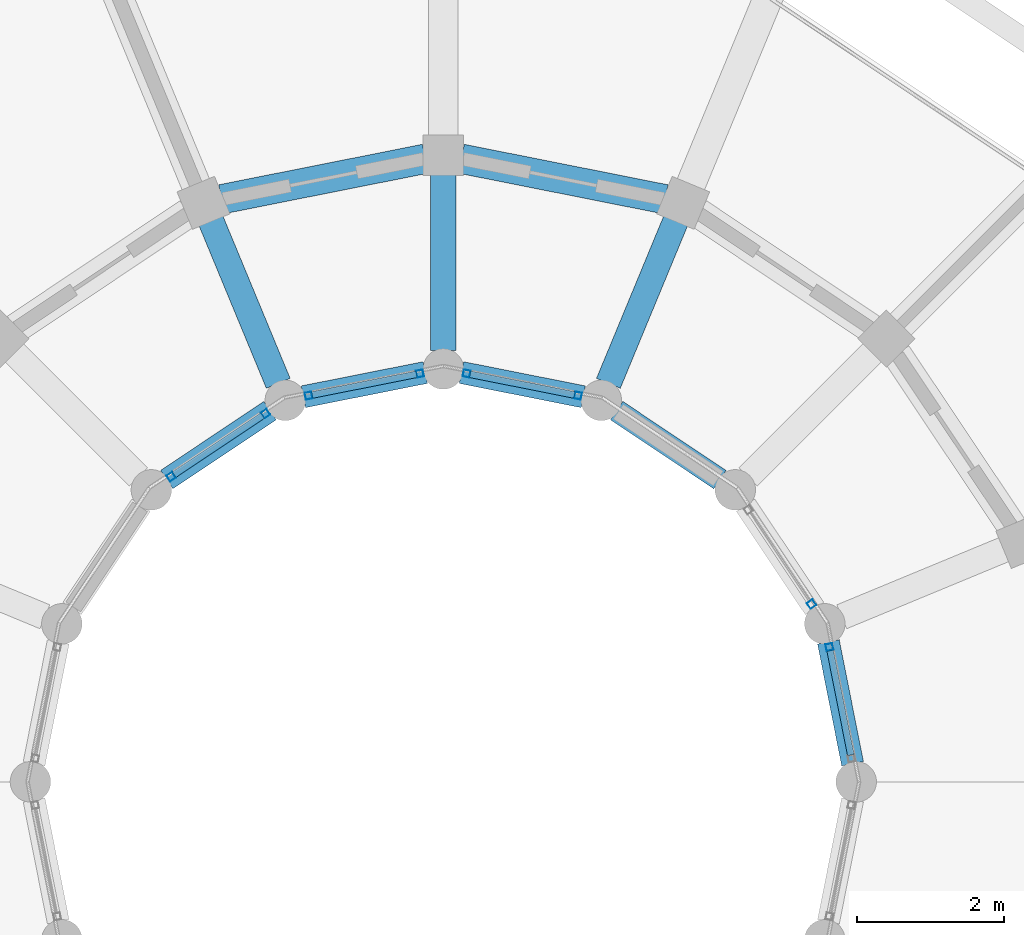
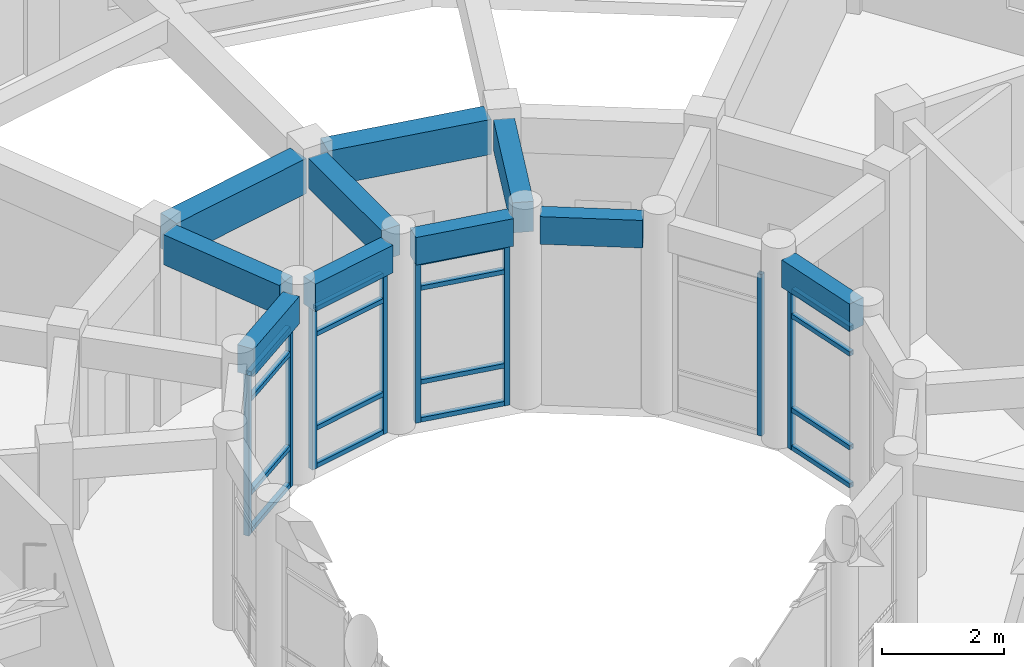
# One storey, part 71 of 159: 24 members, 10 beams, 5 elements without a shape of their own.
"""IFC4 building model written with IfcOpenShell, lengths in metres."""

from ifc_helpers import new_model, si_unit, direction, frame, origin, origin_2d, place, context, subcontext, project, spatial, rectangle, hollow_rectangle, extrude, material, material_profile, profile_set, type_object, element, aggregate, save


model = new_model("IFC4")

# Units and contexts
model_context = context("Model", 3, precision=1e-05, world=origin(), true_north=direction((0.0, 1.0)))
body_context = subcontext(model_context, "Body", "Model", "MODEL_VIEW")
ifc_project = project(units=[si_unit("LENGTHUNIT", "METRE"), si_unit("AREAUNIT", "SQUARE_METRE"), si_unit("VOLUMEUNIT", "CUBIC_METRE"), si_unit("PLANEANGLEUNIT", "RADIAN"), si_unit("MASSUNIT", "GRAM", prefix="KILO")], contexts=[model_context])

# Site, building, storey
site_placement = place(None, origin())
site = spatial("IfcSite", under=ifc_project, at=site_placement, CompositionType="ELEMENT")
building_placement = place(site_placement, origin())
building = spatial("IfcBuilding", under=site, at=building_placement, Name="Celadon Cloister-Ring School", CompositionType="ELEMENT")
storey_placement = place(building_placement, frame((0.0, 0.0, 4.5)))
storey = spatial("IfcBuildingStorey", under=building, at=storey_placement, Name="L01", CompositionType="ELEMENT", Elevation=4.5)

# Beams
ifc_material_1 = material(Name="Concrete C35/45", Category="concrete")
ifc_material_profile_1 = material_profile(ifc_material_1, rectangle(XDim=0.35009765625, YDim=0.60009765625, at=origin_2d()), Name="RC350X600")
ifc_profile_set_1 = profile_set([ifc_material_profile_1], Name="Concrete C35/45")
beam_type_1 = type_object("IfcBeamType", Name="BT-02", PredefinedType="BEAM", material=ifc_profile_set_1)
beam_1_placement = place(storey_placement, frame((23.35693359375, 104.6220703125, 3.47998046875), z_axis=(-0.382555476978, -0.923932522988, 0.0), x_axis=(0.923932522988, -0.382555476978, 0.0)))
element("IfcBeam", 1, at=beam_1_placement, inside=storey, type_object=beam_type_1, Name="Beam 0664", PredefinedType="BEAM", context=body_context, shape_type="SweptSolid", body=[
    extrude(rectangle(XDim=0.35009765625, YDim=0.60009765625, at=origin_2d()), origin(), (0.0, 0.0, 1.0), 2.399658203125),
])
beam_2_placement = place(storey_placement, frame((20.199951171875, 105.25, 3.47998046875), z_axis=(0.0, -1.0, 0.0), x_axis=(1.0, 0.0, 0.0)))
element("IfcBeam", 2, at=beam_2_placement, inside=storey, type_object=beam_type_1, Name="Beam 0666", PredefinedType="BEAM", context=body_context, shape_type="SweptSolid", body=[
    extrude(rectangle(XDim=0.35009765625, YDim=0.60009765625, at=origin_2d()), origin(), (0.0, 0.0, 1.0), 2.39990234375),
])
beam_3_placement = place(storey_placement, frame((17.04296875, 104.6220703125, 3.47998046875), z_axis=(0.382555476978, -0.923932522988, 0.0), x_axis=(0.923932522988, 0.382555476978, 0.0)))
element("IfcBeam", 3, at=beam_3_placement, inside=storey, type_object=beam_type_1, Name="Beam 0668", PredefinedType="BEAM", context=body_context, shape_type="SweptSolid", body=[
    extrude(rectangle(XDim=0.35009765625, YDim=0.60009765625, at=origin_2d()), origin(), (0.0, 0.0, 1.0), 2.399658203125),
])

# Curtain wall, member
ifc_material_2 = material(Name="Aluminium EN AW-6063 T6", Category="aluminium")
curtain_wall_type = type_object("IfcCurtainWallType", Name="CW-04", PredefinedType="USERDEFINED", material=ifc_material_2)
curtain_wall_1_placement = place(storey_placement, origin())
curtain_wall_1 = element("IfcCurtainWall", 4, at=curtain_wall_1_placement, inside=storey, type_object=curtain_wall_type, Name="Curtain Wall 0091", ObjectType="CURTAIN WALL", PredefinedType="USERDEFINED")
ifc_material_3 = material(Name="Aluminium EN AW-6063 T6", Category="aluminium")
ifc_material_profile_2 = material_profile(ifc_material_3, hollow_rectangle(XDim=0.094970703125, YDim=0.094970703125, WallThickness=0.00390625, at=origin_2d()), Name="RHS95X95X4")
ifc_profile_set_2 = profile_set([ifc_material_profile_2], Name="Aluminium EN AW-6063 T6")
member_type_1 = type_object("IfcMemberType", Name="CM-02", PredefinedType="MULLION", material=ifc_profile_set_2)
member_1_placement = place(storey_placement, frame((25.437255859375, 98.826416015625, 0.0), z_axis=(0.0, 0.0, 1.0), x_axis=(-0.980885435464, -0.194586131301, 0.0)))
member_1 = element("IfcMember", 5, at=member_1_placement, type_object=member_type_1, Name="CW-04 mullion 2", PredefinedType="MULLION", context=body_context, shape_type="SweptSolid", body=[
    extrude(hollow_rectangle(XDim=0.094970703125, YDim=0.094970703125, WallThickness=0.00390625, at=origin_2d()), origin(), (0.0, 0.0, 1.0), 3.221923828125),
])

curtain_wall_2_placement = place(storey_placement, origin())
curtain_wall_2 = element("IfcCurtainWall", 6, at=curtain_wall_2_placement, inside=storey, type_object=curtain_wall_type, Name="Curtain Wall 0092", ObjectType="CURTAIN WALL", PredefinedType="USERDEFINED")
member_2_placement = place(storey_placement, frame((25.194580078125, 99.411376953125, 0.0), z_axis=(0.0, 0.0, 1.0), x_axis=(-0.831485091394, -0.555547066224, 0.0)))
member_2 = element("IfcMember", 7, at=member_2_placement, type_object=member_type_1, Name="CW-04 mullion 1", PredefinedType="MULLION", context=body_context, shape_type="SweptSolid", body=[
    extrude(hollow_rectangle(XDim=0.094970703125, YDim=0.094970703125, WallThickness=0.00390625, at=origin_2d()), origin(), (0.0, 0.0, 1.0), 3.221923828125),
])
aggregate(curtain_wall_2, [member_2])

# Curtain wall, members
curtain_wall_3_placement = place(storey_placement, origin())
curtain_wall_3 = element("IfcCurtainWall", 8, at=curtain_wall_3_placement, inside=storey, type_object=curtain_wall_type, Name="Curtain Wall 0093", ObjectType="CURTAIN WALL", PredefinedType="USERDEFINED")
member_3_placement = place(storey_placement, frame((22.0263671875, 102.2373046875, 0.0), z_axis=(0.0, 0.0, 1.0), x_axis=(-0.194586131301, -0.980885435464, 0.0)))
member_3 = element("IfcMember", 9, at=member_3_placement, type_object=member_type_1, Name="CW-04 mullion 1", PredefinedType="MULLION", context=body_context, shape_type="SweptSolid", body=[
    extrude(hollow_rectangle(XDim=0.094970703125, YDim=0.094970703125, WallThickness=0.00390625, at=origin_2d()), origin(), (0.0, 0.0, 1.0), 3.221923828125),
])
member_4_placement = place(storey_placement, frame((20.5166015625, 102.536865234375, 0.0), z_axis=(0.0, 0.0, 1.0), x_axis=(-0.194586131301, -0.980885435464, 0.0)))
member_4 = element("IfcMember", 10, at=member_4_placement, type_object=member_type_1, Name="CW-04 mullion 2", PredefinedType="MULLION", context=body_context, shape_type="SweptSolid", body=[
    extrude(hollow_rectangle(XDim=0.094970703125, YDim=0.094970703125, WallThickness=0.00390625, at=origin_2d()), origin(), (0.0, 0.0, 1.0), 3.221923828125),
])

curtain_wall_4_placement = place(storey_placement, origin())
curtain_wall_4 = element("IfcCurtainWall", 11, at=curtain_wall_4_placement, inside=storey, type_object=curtain_wall_type, Name="Curtain Wall 0094", ObjectType="CURTAIN WALL", PredefinedType="USERDEFINED")
member_5_placement = place(storey_placement, frame((19.88330078125, 102.536865234375, 0.0), z_axis=(0.0, 0.0, 1.0), x_axis=(0.194586131301, -0.980885435464, 0.0)))
member_5 = element("IfcMember", 12, at=member_5_placement, type_object=member_type_1, Name="CW-04 mullion 1", PredefinedType="MULLION", context=body_context, shape_type="SweptSolid", body=[
    extrude(hollow_rectangle(XDim=0.094970703125, YDim=0.094970703125, WallThickness=0.00390625, at=origin_2d()), origin(), (0.0, 0.0, 1.0), 3.221923828125),
])
member_6_placement = place(storey_placement, frame((18.37353515625, 102.2373046875, 0.0), z_axis=(0.0, 0.0, 1.0), x_axis=(0.194586131301, -0.980885435464, 0.0)))
member_6 = element("IfcMember", 13, at=member_6_placement, type_object=member_type_1, Name="CW-04 mullion 2", PredefinedType="MULLION", context=body_context, shape_type="SweptSolid", body=[
    extrude(hollow_rectangle(XDim=0.094970703125, YDim=0.094970703125, WallThickness=0.00390625, at=origin_2d()), origin(), (0.0, 0.0, 1.0), 3.221923828125),
])

curtain_wall_5_placement = place(storey_placement, origin())
curtain_wall_5 = element("IfcCurtainWall", 14, at=curtain_wall_5_placement, inside=storey, type_object=curtain_wall_type, Name="Curtain Wall 0095", ObjectType="CURTAIN WALL", PredefinedType="USERDEFINED")
member_7_placement = place(storey_placement, frame((17.78857421875, 101.99462890625, 0.0), z_axis=(0.0, 0.0, 1.0), x_axis=(0.555547066224, -0.831485091394, 0.0)))
member_7 = element("IfcMember", 15, at=member_7_placement, type_object=member_type_1, Name="CW-04 mullion 1", PredefinedType="MULLION", context=body_context, shape_type="SweptSolid", body=[
    extrude(hollow_rectangle(XDim=0.094970703125, YDim=0.094970703125, WallThickness=0.00390625, at=origin_2d()), origin(), (0.0, 0.0, 1.0), 3.221923828125),
])
member_8_placement = place(storey_placement, frame((16.508544921875, 101.139404296875, 0.0), z_axis=(0.0, 0.0, 1.0), x_axis=(0.555547066224, -0.831485091394, 0.0)))
member_8 = element("IfcMember", 16, at=member_8_placement, type_object=member_type_1, Name="CW-04 mullion 2", PredefinedType="MULLION", context=body_context, shape_type="SweptSolid", body=[
    extrude(hollow_rectangle(XDim=0.094970703125, YDim=0.094970703125, WallThickness=0.00390625, at=origin_2d()), origin(), (0.0, 0.0, 1.0), 3.221923828125),
])

# Member
ifc_material_4 = material(Name="Aluminium EN AW-6063 T6", Category="aluminium")
ifc_material_profile_3 = material_profile(ifc_material_4, hollow_rectangle(XDim=0.090087890625, YDim=0.090087890625, WallThickness=0.00390625, at=origin_2d()), Name="RHS90X90X4")
ifc_profile_set_3 = profile_set([ifc_material_profile_3], Name="Aluminium EN AW-6063 T6")
member_type_2 = type_object("IfcMemberType", Name="CTM-02", PredefinedType="USERDEFINED", material=ifc_profile_set_3)
member_9_placement = place(storey_placement, frame((25.7275390625, 97.36328125, 0.044921875), z_axis=(-0.194587856315, 0.980885093257, 0.0), x_axis=(-0.980885093257, -0.194587856315, 0.0)))
member_9 = element("IfcMember", 17, at=member_9_placement, type_object=member_type_2, Name="CW-04 transom 1.1", ObjectType="TRANSOM", PredefinedType="USERDEFINED", context=body_context, shape_type="SweptSolid", body=[
    extrude(hollow_rectangle(XDim=0.090087890625, YDim=0.090087890625, WallThickness=0.00390625, at=origin_2d()), origin(), (0.0, 0.0, 1.0), 1.444091796875),
])

member_10_placement = place(storey_placement, frame((25.7275390625, 97.36328125, 0.800048828125), z_axis=(-0.194587856315, 0.980885093257, 0.0), x_axis=(-0.980885093257, -0.194587856315, 0.0)))
member_10 = element("IfcMember", 18, at=member_10_placement, type_object=member_type_2, Name="CW-04 transom 1.2", ObjectType="TRANSOM", PredefinedType="USERDEFINED", context=body_context, shape_type="SweptSolid", body=[
    extrude(hollow_rectangle(XDim=0.090087890625, YDim=0.090087890625, WallThickness=0.00390625, at=origin_2d()), origin(), (0.0, 0.0, 1.0), 1.444091796875),
])

member_11_placement = place(storey_placement, frame((25.7275390625, 97.36328125, 2.672119140625), z_axis=(-0.194587856315, 0.980885093257, 0.0), x_axis=(-0.980885093257, -0.194587856315, 0.0)))
member_11 = element("IfcMember", 19, at=member_11_placement, type_object=member_type_2, Name="CW-04 transom 1.3", ObjectType="TRANSOM", PredefinedType="USERDEFINED", context=body_context, shape_type="SweptSolid", body=[
    extrude(hollow_rectangle(XDim=0.090087890625, YDim=0.090087890625, WallThickness=0.00390625, at=origin_2d()), origin(), (0.0, 0.0, 1.0), 1.444091796875),
])

member_12_placement = place(storey_placement, frame((25.7275390625, 97.36328125, 3.177001953125), z_axis=(-0.194587856315, 0.980885093257, 0.0), x_axis=(-0.980885093257, -0.194587856315, 0.0)))
member_12 = element("IfcMember", 20, at=member_12_placement, type_object=member_type_2, Name="CW-04 transom 1.4", ObjectType="TRANSOM", PredefinedType="USERDEFINED", context=body_context, shape_type="SweptSolid", body=[
    extrude(hollow_rectangle(XDim=0.090087890625, YDim=0.090087890625, WallThickness=0.00390625, at=origin_2d()), origin(), (0.0, 0.0, 1.0), 1.444091796875),
])

aggregate(curtain_wall_1, [member_1, member_9, member_10, member_11, member_12])

member_13_placement = place(storey_placement, frame((21.979736328125, 102.24658203125, 0.044921875), z_axis=(-0.980885093257, 0.194587856315, 0.0), x_axis=(-0.194587856315, -0.980885093257, 0.0)))
member_13 = element("IfcMember", 21, at=member_13_placement, type_object=member_type_2, Name="CW-04 transom 1.1", ObjectType="TRANSOM", PredefinedType="USERDEFINED", context=body_context, shape_type="SweptSolid", body=[
    extrude(hollow_rectangle(XDim=0.090087890625, YDim=0.090087890625, WallThickness=0.00390625, at=origin_2d()), origin(), (0.0, 0.0, 1.0), 1.444091796875),
])

member_14_placement = place(storey_placement, frame((21.979736328125, 102.24658203125, 0.800048828125), z_axis=(-0.980885093257, 0.194587856315, 0.0), x_axis=(-0.194587856315, -0.980885093257, 0.0)))
member_14 = element("IfcMember", 22, at=member_14_placement, type_object=member_type_2, Name="CW-04 transom 1.2", ObjectType="TRANSOM", PredefinedType="USERDEFINED", context=body_context, shape_type="SweptSolid", body=[
    extrude(hollow_rectangle(XDim=0.090087890625, YDim=0.090087890625, WallThickness=0.00390625, at=origin_2d()), origin(), (0.0, 0.0, 1.0), 1.444091796875),
])

member_15_placement = place(storey_placement, frame((21.979736328125, 102.24658203125, 2.672119140625), z_axis=(-0.980885093257, 0.194587856315, 0.0), x_axis=(-0.194587856315, -0.980885093257, 0.0)))
member_15 = element("IfcMember", 23, at=member_15_placement, type_object=member_type_2, Name="CW-04 transom 1.3", ObjectType="TRANSOM", PredefinedType="USERDEFINED", context=body_context, shape_type="SweptSolid", body=[
    extrude(hollow_rectangle(XDim=0.090087890625, YDim=0.090087890625, WallThickness=0.00390625, at=origin_2d()), origin(), (0.0, 0.0, 1.0), 1.444091796875),
])

member_16_placement = place(storey_placement, frame((21.979736328125, 102.24658203125, 3.177001953125), z_axis=(-0.980885093257, 0.194587856315, 0.0), x_axis=(-0.194587856315, -0.980885093257, 0.0)))
member_16 = element("IfcMember", 24, at=member_16_placement, type_object=member_type_2, Name="CW-04 transom 1.4", ObjectType="TRANSOM", PredefinedType="USERDEFINED", context=body_context, shape_type="SweptSolid", body=[
    extrude(hollow_rectangle(XDim=0.090087890625, YDim=0.090087890625, WallThickness=0.00390625, at=origin_2d()), origin(), (0.0, 0.0, 1.0), 1.444091796875),
])

aggregate(curtain_wall_3, [member_3, member_4, member_13, member_14, member_15, member_16])

member_17_placement = place(storey_placement, frame((19.8369140625, 102.527587890625, 0.044921875), z_axis=(-0.98089149302, -0.194555593394, 0.0), x_axis=(0.194555593394, -0.98089149302, 0.0)))
member_17 = element("IfcMember", 25, at=member_17_placement, type_object=member_type_2, Name="CW-04 transom 1.1", ObjectType="TRANSOM", PredefinedType="USERDEFINED", context=body_context, shape_type="SweptSolid", body=[
    extrude(hollow_rectangle(XDim=0.090087890625, YDim=0.090087890625, WallThickness=0.00390625, at=origin_2d()), origin(), (0.0, 0.0, 1.0), 1.4443359375),
])

member_18_placement = place(storey_placement, frame((19.8369140625, 102.527587890625, 0.800048828125), z_axis=(-0.98089149302, -0.194555593394, 0.0), x_axis=(0.194555593394, -0.98089149302, 0.0)))
member_18 = element("IfcMember", 26, at=member_18_placement, type_object=member_type_2, Name="CW-04 transom 1.2", ObjectType="TRANSOM", PredefinedType="USERDEFINED", context=body_context, shape_type="SweptSolid", body=[
    extrude(hollow_rectangle(XDim=0.090087890625, YDim=0.090087890625, WallThickness=0.00390625, at=origin_2d()), origin(), (0.0, 0.0, 1.0), 1.4443359375),
])

member_19_placement = place(storey_placement, frame((19.8369140625, 102.527587890625, 2.672119140625), z_axis=(-0.98089149302, -0.194555593394, 0.0), x_axis=(0.194555593394, -0.98089149302, 0.0)))
member_19 = element("IfcMember", 27, at=member_19_placement, type_object=member_type_2, Name="CW-04 transom 1.3", ObjectType="TRANSOM", PredefinedType="USERDEFINED", context=body_context, shape_type="SweptSolid", body=[
    extrude(hollow_rectangle(XDim=0.090087890625, YDim=0.090087890625, WallThickness=0.00390625, at=origin_2d()), origin(), (0.0, 0.0, 1.0), 1.4443359375),
])

member_20_placement = place(storey_placement, frame((19.8369140625, 102.527587890625, 3.177001953125), z_axis=(-0.98089149302, -0.194555593394, 0.0), x_axis=(0.194555593394, -0.98089149302, 0.0)))
member_20 = element("IfcMember", 28, at=member_20_placement, type_object=member_type_2, Name="CW-04 transom 1.4", ObjectType="TRANSOM", PredefinedType="USERDEFINED", context=body_context, shape_type="SweptSolid", body=[
    extrude(hollow_rectangle(XDim=0.090087890625, YDim=0.090087890625, WallThickness=0.00390625, at=origin_2d()), origin(), (0.0, 0.0, 1.0), 1.4443359375),
])

aggregate(curtain_wall_4, [member_5, member_6, member_17, member_18, member_19, member_20])

member_21_placement = place(storey_placement, frame((17.7490234375, 101.96826171875, 0.044921875), z_axis=(-0.831451709445, -0.555597025604, 0.0), x_axis=(0.555597025604, -0.831451709445, 0.0)))
member_21 = element("IfcMember", 29, at=member_21_placement, type_object=member_type_2, Name="CW-04 transom 1.1", ObjectType="TRANSOM", PredefinedType="USERDEFINED", context=body_context, shape_type="SweptSolid", body=[
    extrude(hollow_rectangle(XDim=0.090087890625, YDim=0.090087890625, WallThickness=0.00390625, at=origin_2d()), origin(), (0.0, 0.0, 1.0), 1.4443359375),
])

member_22_placement = place(storey_placement, frame((17.7490234375, 101.96826171875, 0.800048828125), z_axis=(-0.831451709445, -0.555597025604, 0.0), x_axis=(0.555597025604, -0.831451709445, 0.0)))
member_22 = element("IfcMember", 30, at=member_22_placement, type_object=member_type_2, Name="CW-04 transom 1.2", ObjectType="TRANSOM", PredefinedType="USERDEFINED", context=body_context, shape_type="SweptSolid", body=[
    extrude(hollow_rectangle(XDim=0.090087890625, YDim=0.090087890625, WallThickness=0.00390625, at=origin_2d()), origin(), (0.0, 0.0, 1.0), 1.4443359375),
])

member_23_placement = place(storey_placement, frame((17.7490234375, 101.96826171875, 2.672119140625), z_axis=(-0.831451709445, -0.555597025604, 0.0), x_axis=(0.555597025604, -0.831451709445, 0.0)))
member_23 = element("IfcMember", 31, at=member_23_placement, type_object=member_type_2, Name="CW-04 transom 1.3", ObjectType="TRANSOM", PredefinedType="USERDEFINED", context=body_context, shape_type="SweptSolid", body=[
    extrude(hollow_rectangle(XDim=0.090087890625, YDim=0.090087890625, WallThickness=0.00390625, at=origin_2d()), origin(), (0.0, 0.0, 1.0), 1.4443359375),
])

member_24_placement = place(storey_placement, frame((17.7490234375, 101.96826171875, 3.177001953125), z_axis=(-0.831451709445, -0.555597025604, 0.0), x_axis=(0.555597025604, -0.831451709445, 0.0)))
member_24 = element("IfcMember", 32, at=member_24_placement, type_object=member_type_2, Name="CW-04 transom 1.4", ObjectType="TRANSOM", PredefinedType="USERDEFINED", context=body_context, shape_type="SweptSolid", body=[
    extrude(hollow_rectangle(XDim=0.090087890625, YDim=0.090087890625, WallThickness=0.00390625, at=origin_2d()), origin(), (0.0, 0.0, 1.0), 1.4443359375),
])

aggregate(curtain_wall_5, [member_7, member_8, member_21, member_22, member_23, member_24])

# Beams
ifc_material_5 = material(Name="Concrete C35/45", Category="concrete")
ifc_material_profile_4 = material_profile(ifc_material_5, rectangle(XDim=0.39990234375, YDim=0.699951171875, at=origin_2d()), Name="RC400X700")
ifc_profile_set_4 = profile_set([ifc_material_profile_4], Name="Concrete C35/45")
beam_type_2 = type_object("IfcBeamType", Name="GT-03", PredefinedType="USERDEFINED", material=ifc_profile_set_4)
beam_4_placement = place(storey_placement, frame((23.2080078125, 104.902099609375, 3.429931640625), z_axis=(-0.980836510336, 0.19483259479, 0.0), x_axis=(-0.19483259479, -0.980836510336, 0.0)))
element("IfcBeam", 33, at=beam_4_placement, inside=storey, type_object=beam_type_2, Name="Beam 0694", ObjectType="GIRDER", PredefinedType="USERDEFINED", context=body_context, shape_type="SweptSolid", body=[
    extrude(rectangle(XDim=0.39990234375, YDim=0.699951171875, at=origin_2d()), origin(), (0.0, 0.0, 1.0), 2.81689453125),
])
beam_5_placement = place(storey_placement, frame((19.955078125, 105.450927734375, 3.429931640625), z_axis=(-0.98083979986, -0.194816033759, 0.0), x_axis=(0.194816033759, -0.98083979986, 0.0)))
element("IfcBeam", 34, at=beam_5_placement, inside=storey, type_object=beam_type_2, Name="Beam 0698", ObjectType="GIRDER", PredefinedType="USERDEFINED", context=body_context, shape_type="SweptSolid", body=[
    extrude(rectangle(XDim=0.39990234375, YDim=0.699951171875, at=origin_2d()), origin(), (0.0, 0.0, 1.0), 2.817138671875),
])
ifc_material_6 = material(Name="Concrete C35/45", Category="concrete")
ifc_material_profile_5 = material_profile(ifc_material_6, rectangle(XDim=0.300048828125, YDim=0.550048828125, at=origin_2d()), Name="RC300X550")
ifc_profile_set_5 = profile_set([ifc_material_profile_5], Name="Concrete C35/45")
beam_type_3 = type_object("IfcBeamType", Name="SP-02", PredefinedType="SPANDREL", material=ifc_profile_set_5)
beam_6_placement = place(storey_placement, frame((25.7509765625, 97.2451171875, 3.5048828125), z_axis=(-0.194583435458, 0.980885970256, 0.0), x_axis=(-0.980885970256, -0.194583435458, 0.0)))
element("IfcBeam", 35, at=beam_6_placement, inside=storey, type_object=beam_type_3, Name="Beam 0685", PredefinedType="SPANDREL", context=body_context, shape_type="SweptSolid", body=[
    extrude(rectangle(XDim=0.300048828125, YDim=0.550048828125, at=origin_2d()), origin(), (0.0, 0.0, 1.0), 1.68505859375),
])
beam_7_placement = place(storey_placement, frame((23.951904296875, 101.09912109375, 3.5048828125), z_axis=(-0.831537153477, 0.555469137204, 0.0), x_axis=(-0.555469137204, -0.831537153477, 0.0)))
element("IfcBeam", 36, at=beam_7_placement, inside=storey, type_object=beam_type_3, Name="Beam 0691", PredefinedType="SPANDREL", context=body_context, shape_type="SweptSolid", body=[
    extrude(rectangle(XDim=0.300048828125, YDim=0.550048828125, at=origin_2d()), origin(), (0.0, 0.0, 1.0), 1.6845703125),
])
beam_8_placement = place(storey_placement, frame((22.097900390625, 102.222900390625, 3.5048828125), z_axis=(-0.980858307367, 0.194722830887, 0.0), x_axis=(-0.194722830887, -0.980858307367, 0.0)))
element("IfcBeam", 37, at=beam_8_placement, inside=storey, type_object=beam_type_3, Name="Beam 0695", PredefinedType="SPANDREL", context=body_context, shape_type="SweptSolid", body=[
    extrude(rectangle(XDim=0.300048828125, YDim=0.550048828125, at=origin_2d()), origin(), (0.0, 0.0, 1.0), 1.68505859375),
])
beam_9_placement = place(storey_placement, frame((19.955078125, 102.551025390625, 3.5048828125), z_axis=(-0.980863799725, -0.194695162728, 0.0), x_axis=(0.194695162728, -0.980863799725, 0.0)))
element("IfcBeam", 38, at=beam_9_placement, inside=storey, type_object=beam_type_3, Name="Beam 0699", PredefinedType="SPANDREL", context=body_context, shape_type="SweptSolid", body=[
    extrude(rectangle(XDim=0.300048828125, YDim=0.550048828125, at=origin_2d()), origin(), (0.0, 0.0, 1.0), 1.685302734375),
])
beam_10_placement = place(storey_placement, frame((17.84912109375, 102.034912109375, 3.5048828125), z_axis=(-0.831581859135, -0.555402207016, 0.0), x_axis=(0.555402207016, -0.831581859135, 0.0)))
element("IfcBeam", 39, at=beam_10_placement, inside=storey, type_object=beam_type_3, Name="Beam 0703", PredefinedType="SPANDREL", context=body_context, shape_type="SweptSolid", body=[
    extrude(rectangle(XDim=0.300048828125, YDim=0.550048828125, at=origin_2d()), origin(), (0.0, 0.0, 1.0), 1.684814453125),
])

save(model, "model.ifc")
